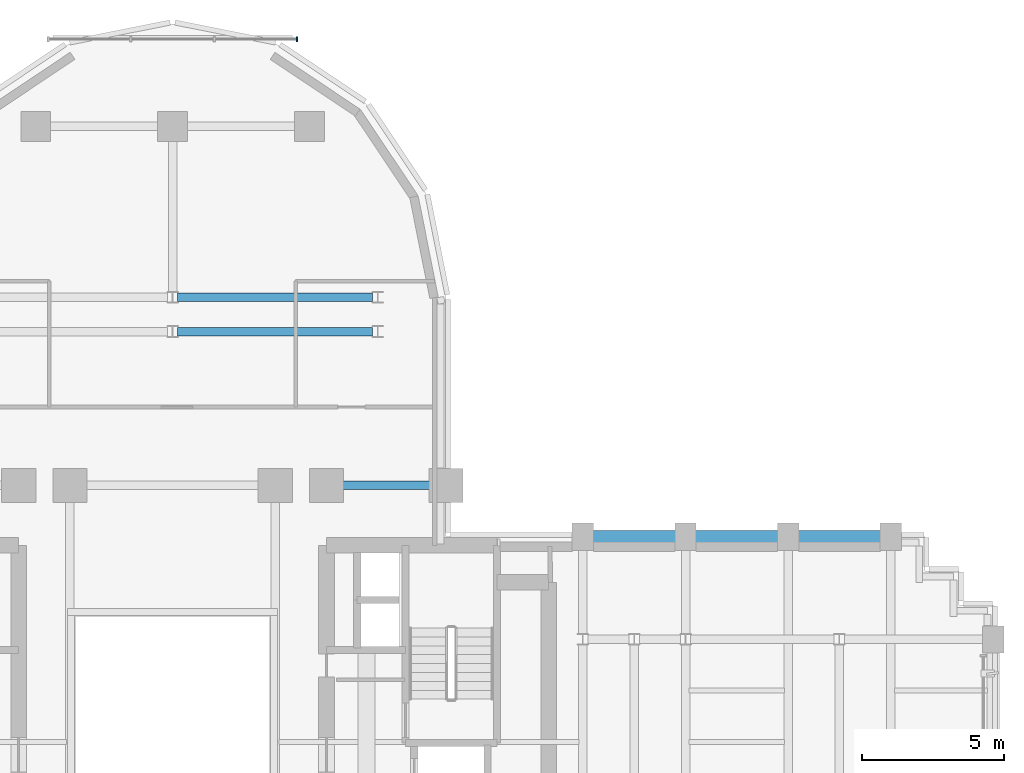
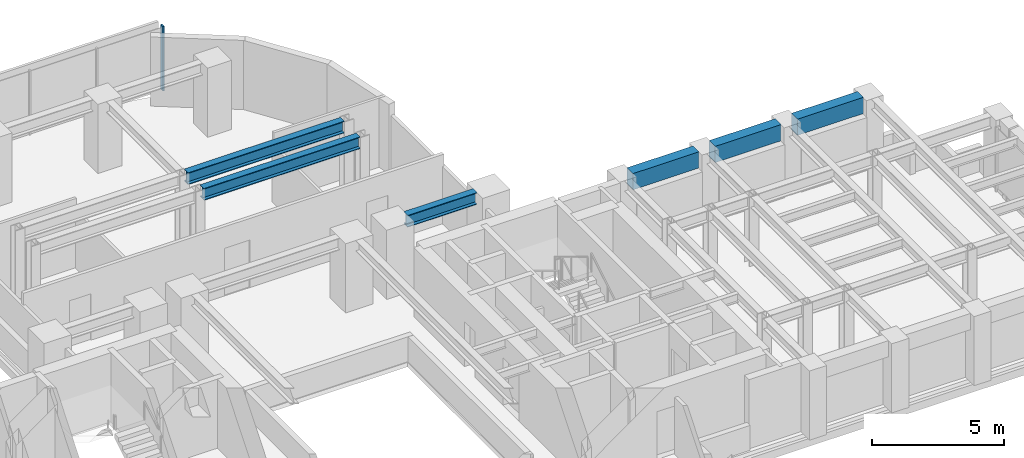
# One storey, part 8 of 16: 6 beams, 1 member, 1 element without a shape of its own.
"""IFC4 building model written with IfcOpenShell, lengths in metres."""

from ifc_helpers import new_model, si_unit, direction, frame, origin, origin_2d, place, context, subcontext, project, spatial, rectangle, i_section, extrude, source, transform, mapped, material, material_profile, profile_set, type_object, element, aggregate, save


model = new_model("IFC4")

# Units and contexts
model_context = context("Model", 3, precision=1e-05, world=origin(), true_north=direction((0.0, 1.0)))
body_context = subcontext(model_context, "Body", "Model", "MODEL_VIEW")
ifc_project = project(units=[si_unit("LENGTHUNIT", "METRE"), si_unit("AREAUNIT", "SQUARE_METRE"), si_unit("VOLUMEUNIT", "CUBIC_METRE"), si_unit("PLANEANGLEUNIT", "RADIAN"), si_unit("MASSUNIT", "GRAM", prefix="KILO")], contexts=[model_context])

# Site, building, storey
site_placement = place(None, origin())
site = spatial("IfcSite", under=ifc_project, at=site_placement, CompositionType="ELEMENT")
building_placement = place(site_placement, origin())
building = spatial("IfcBuilding", under=site, at=building_placement, Name="Keilestroom Media Tower", CompositionType="ELEMENT")
storey_placement = place(building_placement, frame((0.0, 0.0, 64.60009765625)))
storey = spatial("IfcBuildingStorey", under=building, at=storey_placement, Name="L16", CompositionType="ELEMENT", Elevation=64.60009765625)

# Beams
ifc_material_1 = material(Name="Steel S355", Category="steel")
ifc_material_profile_1 = material_profile(ifc_material_1, i_section(OverallWidth=0.300048828125, OverallDepth=0.550048828125, WebThickness=0.012939453125, FlangeThickness=0.029052734375, at=origin_2d()), Name="HEB 550")
ifc_profile_set_1 = profile_set([ifc_material_profile_1], Name="Steel S355")
beam_type_1 = type_object("IfcBeamType", Name="Primary-Structural-Girder-HEB-550", PredefinedType="BEAM", material=ifc_profile_set_1)
shared_shape_1 = source(origin(), body_context, "Body", "SweptSolid", [
    extrude(i_section(OverallWidth=0.300048828125, OverallDepth=0.550048828125, WebThickness=0.012939453125, FlangeThickness=0.029052734375, at=origin_2d()), origin(), (0.0, 0.0, 1.0), 6.836181640625),
])
for number, where, z_axis, x_axis, name in (
    (1, (0.181884765625, 14.39990234375, 2.9248046875), (1.0, 0.0, 0.0), (0.0, 1.0, 0.0), "L16 Beam BG-5 BM-L16-EW-046"),
    (2, (0.181884765625, 15.60009765625, 2.9248046875), (1.0, 0.0, 0.0), (0.0, 1.0, 0.0), "L16 Beam BG-5 BM-L16-EW-048"),
):
    element("IfcBeam", number, at=place(storey_placement, frame(where, z_axis=z_axis, x_axis=x_axis)), inside=storey, type_object=beam_type_1, Name=name, PredefinedType="BEAM", context=body_context, shape_type="MappedRepresentation", body=[
        mapped(shared_shape_1, transform((0.0, 0.0, 0.0), x_axis=(1.0, 0.0, 0.0), y_axis=(0.0, 1.0, 0.0), z_axis=(0.0, 0.0, 1.0), scale=1.0)),
    ])
shared_shape_2 = source(origin(), body_context, "Body", "SweptSolid", [
    extrude(i_section(OverallWidth=0.300048828125, OverallDepth=0.550048828125, WebThickness=0.012939453125, FlangeThickness=0.029052734375, at=origin_2d()), origin(), (0.0, 0.0, 1.0), 3.0400390625),
])
beam_1_placement = place(storey_placement, frame((5.97998046875, 9.0, 2.9248046875), z_axis=(1.0, 0.0, 0.0), x_axis=(0.0, 1.0, 0.0)))
element("IfcBeam", 3, at=beam_1_placement, inside=storey, type_object=beam_type_1, Name="L16 Beam BG-5 BM-L16-EW-044", PredefinedType="BEAM", context=body_context, shape_type="MappedRepresentation", body=[
    mapped(shared_shape_2, transform((0.0, 0.0, 0.0), x_axis=(1.0, 0.0, 0.0), y_axis=(0.0, 1.0, 0.0), z_axis=(0.0, 0.0, 1.0), scale=1.0)),
])
ifc_material_2 = material(Name="Precast concrete C40/50", Category="concrete")
ifc_material_profile_2 = material_profile(ifc_material_2, rectangle(XDim=0.449951171875, YDim=0.75, at=origin_2d()), Name="PC 450x750")
ifc_profile_set_2 = profile_set([ifc_material_profile_2], Name="Precast concrete C40/50")
beam_type_2 = type_object("IfcBeamType", Name="Perimeter-Spandrel-Beam-PC-450x750", PredefinedType="SPANDREL", material=ifc_profile_set_2)
shared_shape_3 = source(origin(), body_context, "Body", "SweptSolid", [
    extrude(rectangle(XDim=0.449951171875, YDim=0.75, at=origin_2d()), origin(), (0.0, 0.0, 1.0), 2.889892578125),
])
beam_2_placement = place(storey_placement, frame((21.955078125, 7.199951171875, 2.824951171875), z_axis=(1.0, 0.0, 0.0), x_axis=(0.0, 1.0, 0.0)))
element("IfcBeam", 4, at=beam_2_placement, inside=storey, type_object=beam_type_2, Name="L16 Beam SPB-1 BM-L16-EW-039", PredefinedType="SPANDREL", context=body_context, shape_type="MappedRepresentation", body=[
    mapped(shared_shape_3, transform((0.0, 0.0, 0.0), x_axis=(1.0, 0.0, 0.0), y_axis=(0.0, 1.0, 0.0), z_axis=(0.0, 0.0, 1.0), scale=1.0)),
])
shared_shape_4 = source(origin(), body_context, "Body", "SweptSolid", [
    extrude(rectangle(XDim=0.449951171875, YDim=0.75, at=origin_2d()), origin(), (0.0, 0.0, 1.0), 2.89013671875),
])
for number, where, z_axis, x_axis, name in (
    (5, (14.7548828125, 7.199951171875, 2.824951171875), (1.0, 0.0, 0.0), (0.0, 1.0, 0.0), "L16 Beam SPB-1 BM-L16-EW-037"),
    (6, (18.35498046875, 7.199951171875, 2.824951171875), (1.0, 0.0, 0.0), (0.0, 1.0, 0.0), "L16 Beam SPB-1 BM-L16-EW-038"),
):
    element("IfcBeam", number, at=place(storey_placement, frame(where, z_axis=z_axis, x_axis=x_axis)), inside=storey, type_object=beam_type_2, Name=name, PredefinedType="SPANDREL", context=body_context, shape_type="MappedRepresentation", body=[
        mapped(shared_shape_4, transform((0.0, 0.0, 0.0), x_axis=(1.0, 0.0, 0.0), y_axis=(0.0, 1.0, 0.0), z_axis=(0.0, 0.0, 1.0), scale=1.0)),
    ])

# Curtain wall, member
ifc_material_3 = material(Name="Anodised Aluminium Alloy", Category="aluminium")
curtain_wall_type = type_object("IfcCurtainWallType", Name="Unitised-Curtain-Wall-CW-6", PredefinedType="NOTDEFINED", material=ifc_material_3)
curtain_wall_placement = place(storey_placement, origin())
curtain_wall = element("IfcCurtainWall", 7, at=curtain_wall_placement, inside=storey, type_object=curtain_wall_type, Name="L16 Curtain Wall CW-6 CW-L16-LN-1", PredefinedType="NOTDEFINED")
ifc_material_profile_3 = material_profile(ifc_material_3, rectangle(XDim=0.06494140625, YDim=0.179931640625, at=origin_2d()), Name="ALU MULLION 65x180")
ifc_profile_set_3 = profile_set([ifc_material_profile_3], Name="Anodised Aluminium Alloy")
member_type = type_object("IfcMemberType", Name="Curtain-Wall-Mullion-CW-6", PredefinedType="MULLION", material=ifc_profile_set_3)
shared_shape_5 = source(origin(), body_context, "Body", "SweptSolid", [
    extrude(rectangle(XDim=0.06494140625, YDim=0.179931640625, at=origin_2d()), origin(), (0.0, 0.0, 1.0), 2.97998046875),
])
member_placement = place(storey_placement, frame((4.367431640625, 24.64990234375, 0.0), z_axis=(0.0, 0.0, 1.0), x_axis=(1.0, 0.0, 0.0)))
member = element("IfcMember", 8, at=member_placement, type_object=member_type, Name="CW-6 Mullion 03", PredefinedType="MULLION", context=body_context, shape_type="MappedRepresentation", body=[
    mapped(shared_shape_5, transform((0.0, 0.0, 0.0), x_axis=(1.0, 0.0, 0.0), y_axis=(0.0, 1.0, 0.0), z_axis=(0.0, 0.0, 1.0), scale=1.0)),
])
aggregate(curtain_wall, [member])

save(model, "model.ifc")
